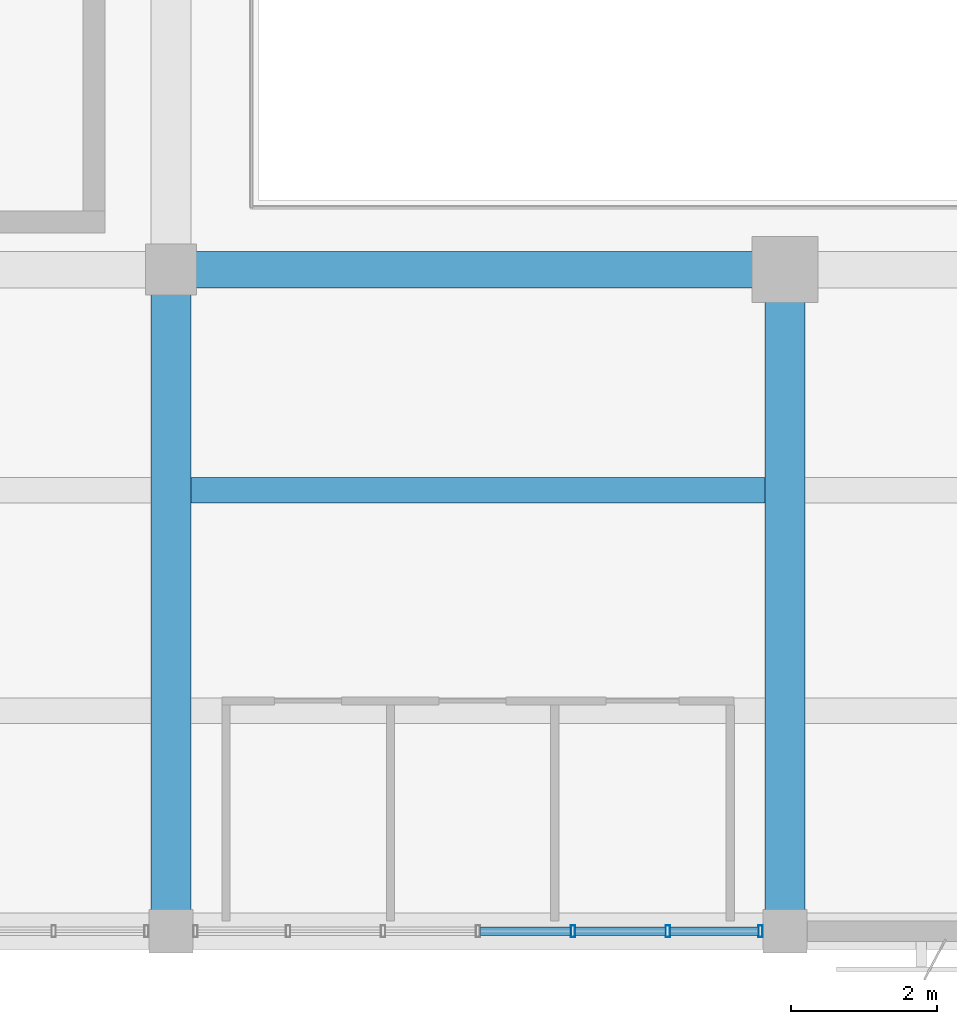
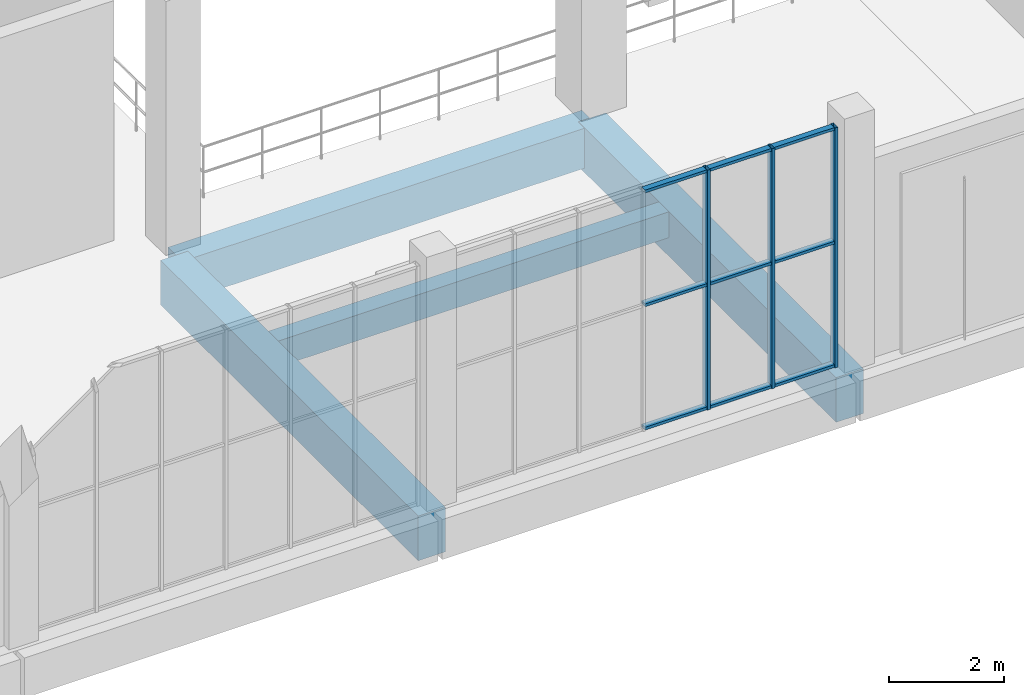
# One storey, part 27 of 132: 12 members, 4 beams, 1 element without a shape of its own.
"""IFC4 building model written with IfcOpenShell, lengths in metres."""

from ifc_helpers import new_model, si_unit, direction, frame, origin, origin_2d, place, context, subcontext, project, spatial, rectangle, hollow_rectangle, extrude, material, material_profile, profile_set, type_object, element, aggregate, save


model = new_model("IFC4")

# Units and contexts
model_context = context("Model", 3, precision=1e-05, world=origin(), true_north=direction((0.0, 1.0)))
body_context = subcontext(model_context, "Body", "Model", "MODEL_VIEW")
ifc_project = project(units=[si_unit("LENGTHUNIT", "METRE"), si_unit("AREAUNIT", "SQUARE_METRE"), si_unit("VOLUMEUNIT", "CUBIC_METRE"), si_unit("PLANEANGLEUNIT", "RADIAN"), si_unit("MASSUNIT", "GRAM", prefix="KILO")], contexts=[model_context])

# Site, building, storey
site_placement = place(None, origin())
site = spatial("IfcSite", under=ifc_project, at=site_placement, CompositionType="ELEMENT")
building_placement = place(site_placement, origin())
building = spatial("IfcBuilding", under=site, at=building_placement, Name="Khurvash Pelagic Aquarium", CompositionType="ELEMENT")
storey_placement = place(building_placement, frame((0.0, 0.0, 5.39990234375)))
storey = spatial("IfcBuildingStorey", under=building, at=storey_placement, Name="L01", CompositionType="ELEMENT", Elevation=5.39990234375)

# Beams
ifc_material_1 = material(Name="Concrete C40/50", Category="concrete")
ifc_material_profile_1 = material_profile(ifc_material_1, rectangle(XDim=0.550048828125, YDim=0.949951171875, at=origin_2d()), Name="RC550X950")
ifc_profile_set_1 = profile_set([ifc_material_profile_1], Name="Concrete C40/50")
beam_type_1 = type_object("IfcBeamType", Name="BM-02", PredefinedType="BEAM", material=ifc_profile_set_1)
for number, where, z_axis, x_axis, name in (
    (1, (67.199951171875, 2.639892578125, -0.784912109375), (0.0, 1.0, 0.0), (-1.0, 0.0, 0.0), "L01 Primary Girder BM-02 00393"),
    (2, (75.60009765625, 2.639892578125, -0.784912109375), (0.0, 1.0, 0.0), (-1.0, 0.0, 0.0), "L01 Primary Girder BM-02 00398"),
):
    element("IfcBeam", number, at=place(storey_placement, frame(where, z_axis=z_axis, x_axis=x_axis)), inside=storey, type_object=beam_type_1, Name=name, PredefinedType="BEAM", context=body_context, shape_type="SweptSolid", body=[
        extrude(rectangle(XDim=0.550048828125, YDim=0.949951171875, at=origin_2d()), origin(), (0.0, 0.0, 1.0), 8.97021484375),
    ])
ifc_material_profile_2 = material_profile(ifc_material_1, rectangle(XDim=0.5, YDim=0.85009765625, at=origin_2d()), Name="RC500X850")
ifc_profile_set_2 = profile_set([ifc_material_profile_2], Name="Concrete C40/50")
beam_type_2 = type_object("IfcBeamType", Name="BM-03", PredefinedType="BEAM", material=ifc_profile_set_2)
beam_1_placement = place(storey_placement, frame((67.239990234375, 11.64990234375, -0.744873046875), z_axis=(1.0, 0.0, 0.0), x_axis=(0.0, 1.0, 0.0)))
element("IfcBeam", 3, at=beam_1_placement, inside=storey, type_object=beam_type_2, Name="L01 Primary Girder BM-03 00256", PredefinedType="BEAM", context=body_context, shape_type="SweptSolid", body=[
    extrude(rectangle(XDim=0.5, YDim=0.85009765625, at=origin_2d()), origin(), (0.0, 0.0, 1.0), 8.320068359375),
])

# Curtain wall, members
ifc_material_2 = material(Name="Anodised aluminium and low-E laminated glass", Category="aluminium")
curtain_wall_type = type_object("IfcCurtainWallType", Name="CW-05", PredefinedType="USERDEFINED", material=ifc_material_2)
curtain_wall_placement = place(storey_placement, origin())
curtain_wall = element("IfcCurtainWall", 4, at=curtain_wall_placement, inside=storey, type_object=curtain_wall_type, Name="L01 Facade Unitised Curtain Wall CW-05 0105", ObjectType="UNITISED CURTAIN WALL", PredefinedType="USERDEFINED")
ifc_material_3 = material(Name="Extruded aluminium AW-6063-T6", Category="aluminium")
ifc_material_profile_3 = material_profile(ifc_material_3, hollow_rectangle(XDim=0.06005859375, YDim=0.159912109375, WallThickness=0.00390625, at=origin_2d()), Name="CWM60X160X4")
ifc_profile_set_3 = profile_set([ifc_material_profile_3], Name="Extruded aluminium AW-6063-T6")
member_type_1 = type_object("IfcMemberType", Name="CM-02", PredefinedType="MULLION", material=ifc_profile_set_3)
member_1_placement = place(storey_placement, frame((72.6982421875, 2.60009765625, 0.0), z_axis=(0.0, 0.0, 1.0), x_axis=(1.0, 0.0, 0.0)))
member_1 = element("IfcMember", 5, at=member_1_placement, type_object=member_type_1, Name="CW-05 mullion 5", PredefinedType="MULLION", context=body_context, shape_type="SweptSolid", body=[
    extrude(hollow_rectangle(XDim=0.06005859375, YDim=0.159912109375, WallThickness=0.00390625, at=origin_2d()), origin(), (0.0, 0.0, 1.0), 5.10009765625),
])
member_2_placement = place(storey_placement, frame((73.99658203125, 2.60009765625, 0.0), z_axis=(0.0, 0.0, 1.0), x_axis=(1.0, 0.0, 0.0)))
member_2 = element("IfcMember", 6, at=member_2_placement, type_object=member_type_1, Name="CW-05 mullion 6", PredefinedType="MULLION", context=body_context, shape_type="SweptSolid", body=[
    extrude(hollow_rectangle(XDim=0.06005859375, YDim=0.159912109375, WallThickness=0.00390625, at=origin_2d()), origin(), (0.0, 0.0, 1.0), 5.10009765625),
])
member_3_placement = place(storey_placement, frame((75.264892578125, 2.60009765625, 0.0), z_axis=(0.0, 0.0, 1.0), x_axis=(1.0, 0.0, 0.0)))
member_3 = element("IfcMember", 7, at=member_3_placement, type_object=member_type_1, Name="CW-05 mullion 7", PredefinedType="MULLION", context=body_context, shape_type="SweptSolid", body=[
    extrude(hollow_rectangle(XDim=0.06005859375, YDim=0.159912109375, WallThickness=0.00390625, at=origin_2d()), origin(), (0.0, 0.0, 1.0), 5.10009765625),
])
ifc_material_profile_4 = material_profile(ifc_material_3, hollow_rectangle(XDim=0.1201171875, YDim=0.06005859375, WallThickness=0.00390625, at=origin_2d()), Name="CWT120X60X4")
ifc_profile_set_4 = profile_set([ifc_material_profile_4], Name="Extruded aluminium AW-6063-T6")
member_type_2 = type_object("IfcMemberType", Name="CT-02", PredefinedType="USERDEFINED", material=ifc_profile_set_4)
member_4_placement = place(storey_placement, frame((71.429931640625, 2.60009765625, 0.030029296875), z_axis=(1.0, 0.0, 0.0), x_axis=(0.0, 1.0, 0.0)))
member_4 = element("IfcMember", 8, at=member_4_placement, type_object=member_type_2, Name="CW-05 transom 4.1", ObjectType="TRANSOM", PredefinedType="USERDEFINED", context=body_context, shape_type="SweptSolid", body=[
    extrude(hollow_rectangle(XDim=0.1201171875, YDim=0.06005859375, WallThickness=0.00390625, at=origin_2d()), origin(), (0.0, 0.0, 1.0), 1.23828125),
])
member_5_placement = place(storey_placement, frame((71.429931640625, 2.60009765625, 2.652099609375), z_axis=(1.0, 0.0, 0.0), x_axis=(0.0, 1.0, 0.0)))
member_5 = element("IfcMember", 9, at=member_5_placement, type_object=member_type_2, Name="CW-05 transom 4.2", ObjectType="TRANSOM", PredefinedType="USERDEFINED", context=body_context, shape_type="SweptSolid", body=[
    extrude(hollow_rectangle(XDim=0.1201171875, YDim=0.06005859375, WallThickness=0.00390625, at=origin_2d()), origin(), (0.0, 0.0, 1.0), 1.23828125),
])
member_6_placement = place(storey_placement, frame((71.429931640625, 2.60009765625, 5.070068359375), z_axis=(1.0, 0.0, 0.0), x_axis=(0.0, 1.0, 0.0)))
member_6 = element("IfcMember", 10, at=member_6_placement, type_object=member_type_2, Name="CW-05 transom 4.3", ObjectType="TRANSOM", PredefinedType="USERDEFINED", context=body_context, shape_type="SweptSolid", body=[
    extrude(hollow_rectangle(XDim=0.1201171875, YDim=0.06005859375, WallThickness=0.00390625, at=origin_2d()), origin(), (0.0, 0.0, 1.0), 1.23828125),
])
member_7_placement = place(storey_placement, frame((72.728271484375, 2.60009765625, 0.030029296875), z_axis=(1.0, 0.0, 0.0), x_axis=(0.0, 1.0, 0.0)))
member_7 = element("IfcMember", 11, at=member_7_placement, type_object=member_type_2, Name="CW-05 transom 5.1", ObjectType="TRANSOM", PredefinedType="USERDEFINED", context=body_context, shape_type="SweptSolid", body=[
    extrude(hollow_rectangle(XDim=0.1201171875, YDim=0.06005859375, WallThickness=0.00390625, at=origin_2d()), origin(), (0.0, 0.0, 1.0), 1.23828125),
])
member_8_placement = place(storey_placement, frame((72.728271484375, 2.60009765625, 2.652099609375), z_axis=(1.0, 0.0, 0.0), x_axis=(0.0, 1.0, 0.0)))
member_8 = element("IfcMember", 12, at=member_8_placement, type_object=member_type_2, Name="CW-05 transom 5.2", ObjectType="TRANSOM", PredefinedType="USERDEFINED", context=body_context, shape_type="SweptSolid", body=[
    extrude(hollow_rectangle(XDim=0.1201171875, YDim=0.06005859375, WallThickness=0.00390625, at=origin_2d()), origin(), (0.0, 0.0, 1.0), 1.23828125),
])
member_9_placement = place(storey_placement, frame((72.728271484375, 2.60009765625, 5.070068359375), z_axis=(1.0, 0.0, 0.0), x_axis=(0.0, 1.0, 0.0)))
member_9 = element("IfcMember", 13, at=member_9_placement, type_object=member_type_2, Name="CW-05 transom 5.3", ObjectType="TRANSOM", PredefinedType="USERDEFINED", context=body_context, shape_type="SweptSolid", body=[
    extrude(hollow_rectangle(XDim=0.1201171875, YDim=0.06005859375, WallThickness=0.00390625, at=origin_2d()), origin(), (0.0, 0.0, 1.0), 1.23828125),
])
member_10_placement = place(storey_placement, frame((74.026611328125, 2.60009765625, 0.030029296875), z_axis=(1.0, 0.0, 0.0), x_axis=(0.0, 1.0, 0.0)))
member_10 = element("IfcMember", 14, at=member_10_placement, type_object=member_type_2, Name="CW-05 transom 6.1", ObjectType="TRANSOM", PredefinedType="USERDEFINED", context=body_context, shape_type="SweptSolid", body=[
    extrude(hollow_rectangle(XDim=0.1201171875, YDim=0.06005859375, WallThickness=0.00390625, at=origin_2d()), origin(), (0.0, 0.0, 1.0), 1.20849609375),
])
member_11_placement = place(storey_placement, frame((74.026611328125, 2.60009765625, 2.652099609375), z_axis=(1.0, 0.0, 0.0), x_axis=(0.0, 1.0, 0.0)))
member_11 = element("IfcMember", 15, at=member_11_placement, type_object=member_type_2, Name="CW-05 transom 6.2", ObjectType="TRANSOM", PredefinedType="USERDEFINED", context=body_context, shape_type="SweptSolid", body=[
    extrude(hollow_rectangle(XDim=0.1201171875, YDim=0.06005859375, WallThickness=0.00390625, at=origin_2d()), origin(), (0.0, 0.0, 1.0), 1.20849609375),
])
member_12_placement = place(storey_placement, frame((74.026611328125, 2.60009765625, 5.070068359375), z_axis=(1.0, 0.0, 0.0), x_axis=(0.0, 1.0, 0.0)))
member_12 = element("IfcMember", 16, at=member_12_placement, type_object=member_type_2, Name="CW-05 transom 6.3", ObjectType="TRANSOM", PredefinedType="USERDEFINED", context=body_context, shape_type="SweptSolid", body=[
    extrude(hollow_rectangle(XDim=0.1201171875, YDim=0.06005859375, WallThickness=0.00390625, at=origin_2d()), origin(), (0.0, 0.0, 1.0), 1.20849609375),
])
aggregate(curtain_wall, [member_1, member_2, member_3, member_4, member_5, member_6, member_7, member_8, member_9, member_10, member_11, member_12])

# Beam
ifc_material_4 = material(Name="Concrete C35/45", Category="concrete")
ifc_material_profile_5 = material_profile(ifc_material_4, rectangle(XDim=0.35009765625, YDim=0.550048828125, at=origin_2d()), Name="RC350X550")
ifc_profile_set_5 = profile_set([ifc_material_profile_5], Name="Concrete C35/45")
beam_type_3 = type_object("IfcBeamType", Name="JS-01", PredefinedType="JOIST", material=ifc_profile_set_5)
beam_2_placement = place(storey_placement, frame((67.47509765625, 8.633056640625, -0.5849609375), z_axis=(1.0, 0.0, 0.0), x_axis=(0.0, 1.0, 0.0)))
element("IfcBeam", 17, at=beam_2_placement, inside=storey, type_object=beam_type_3, Name="L01 Floor Joist JS-01 00509", PredefinedType="JOIST", context=body_context, shape_type="SweptSolid", body=[
    extrude(rectangle(XDim=0.35009765625, YDim=0.550048828125, at=origin_2d()), origin(), (0.0, 0.0, 1.0), 7.849853515625),
])

save(model, "model.ifc")
